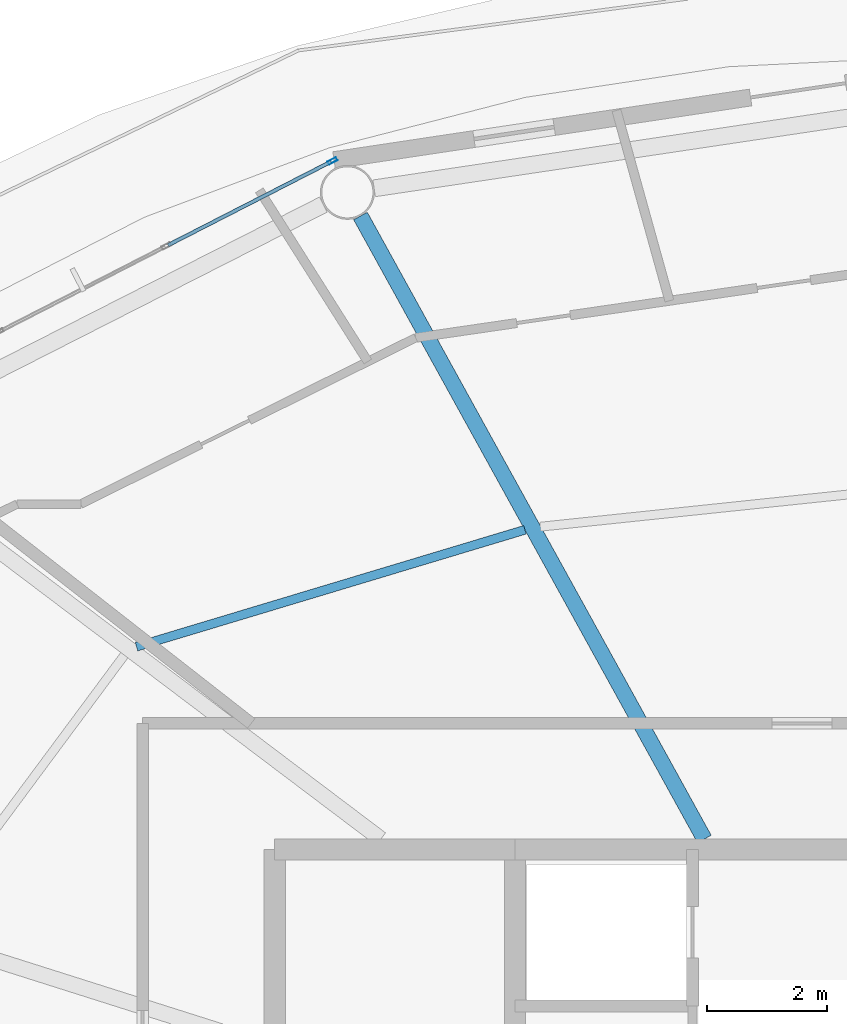
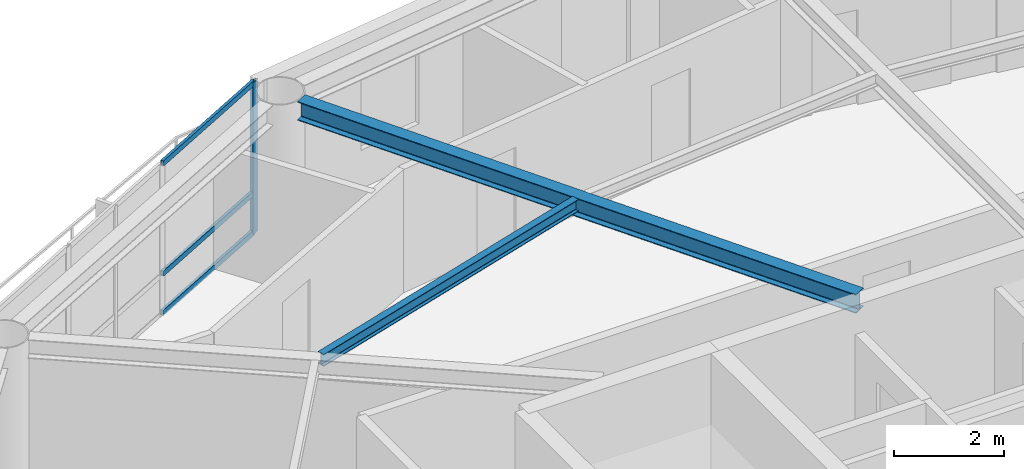
# One storey, part 9 of 22: 4 members, 2 beams, 1 element without a shape of its own.
"""IFC4 building model written with IfcOpenShell, lengths in metres."""

from ifc_helpers import new_model, si_unit, direction, frame, origin, origin_2d, place, context, subcontext, project, spatial, hollow_rectangle, i_section, extrude, material, layer, layer_set, material_profile, profile_set, type_object, element, aggregate, save


model = new_model("IFC4")

# Units and contexts
model_context = context("Model", 3, precision=1e-05, world=origin(), true_north=direction((0.0, 1.0)))
body_context = subcontext(model_context, "Body", "Model", "MODEL_VIEW")
ifc_project = project(units=[si_unit("LENGTHUNIT", "METRE"), si_unit("AREAUNIT", "SQUARE_METRE"), si_unit("VOLUMEUNIT", "CUBIC_METRE"), si_unit("PLANEANGLEUNIT", "RADIAN"), si_unit("MASSUNIT", "GRAM", prefix="KILO")], contexts=[model_context])

# Site, building, storey
site_placement = place(None, origin())
site = spatial("IfcSite", under=ifc_project, at=site_placement, CompositionType="ELEMENT")
building_placement = place(site_placement, origin())
building = spatial("IfcBuilding", under=site, at=building_placement, Name="Sarneth Arch Tower", CompositionType="ELEMENT")
storey_placement = place(building_placement, frame((0.0, 0.0, 305.39990234375)))
storey = spatial("IfcBuildingStorey", under=building, at=storey_placement, Name="L79", CompositionType="ELEMENT", Elevation=305.39990234375)

# Beams
ifc_material_1 = material(Name="Steel S355", Category="steel")
ifc_material_profile_1 = material_profile(ifc_material_1, i_section(OverallWidth=0.14794921875, OverallDepth=0.26611328125, WebThickness=0.007568359375, FlangeThickness=0.012939453125, FilletRadius=0.012939453125, at=origin_2d()), Name="W250x44.8")
ifc_profile_set_1 = profile_set([ifc_material_profile_1], Name="Steel S355")
beam_type_1 = type_object("IfcBeamType", Name="BM-JOIST-250", PredefinedType="JOIST", material=ifc_profile_set_1)
beam_1_placement = place(storey_placement, frame((41.163818359375, 54.122314453125, 3.237060546875), z_axis=(-0.95760703602, -0.288077705776, 0.0), x_axis=(0.288077705776, -0.95760703602, 0.0)))
element("IfcBeam", 1, at=beam_1_placement, inside=storey, type_object=beam_type_1, Name="L79 Secondary floor joist 06", PredefinedType="JOIST", context=body_context, shape_type="SweptSolid", body=[
    extrude(i_section(OverallWidth=0.14794921875, OverallDepth=0.26611328125, WebThickness=0.007568359375, FlangeThickness=0.012939453125, FilletRadius=0.012939453125, at=origin_2d()), origin(), (0.0, 0.0, 1.0), 6.7509765625),
])
ifc_material_2 = material(Name="Steel S355", Category="steel")
ifc_material_profile_2 = material_profile(ifc_material_2, i_section(OverallWidth=0.260009765625, OverallDepth=0.4150390625, WebThickness=0.010009765625, FlangeThickness=0.016845703125, FilletRadius=0.01611328125, at=origin_2d()), Name="W410x100")
ifc_profile_set_2 = profile_set([ifc_material_profile_2], Name="Steel S355")
beam_type_2 = type_object("IfcBeamType", Name="BM-RAD-410A", PredefinedType="BEAM", material=ifc_profile_set_2)
beam_2_placement = place(storey_placement, frame((44.150146484375, 48.97509765625, 3.16259765625), z_axis=(-0.483229367873, 0.875493790969, 0.0), x_axis=(-0.875493790969, -0.483229367873, 0.0)))
element("IfcBeam", 2, at=beam_2_placement, inside=storey, type_object=beam_type_2, Name="L79 Radial floor girder 06", PredefinedType="BEAM", context=body_context, shape_type="SweptSolid", body=[
    extrude(i_section(OverallWidth=0.260009765625, OverallDepth=0.4150390625, WebThickness=0.010009765625, FlangeThickness=0.016845703125, FilletRadius=0.01611328125, at=origin_2d()), origin(), (0.0, 0.0, 1.0), 11.843994140625),
])

# Curtain wall, members
ifc_material_3 = material(Name="Anodised aluminium Type AA25 and solar-control low-e laminated IGU", Category="aluminium")
ifc_layer = layer(ifc_material_3, 0.179931640625)
ifc_layer_set = layer_set([ifc_layer], Name="Anodised aluminium Type AA25 and solar-control low-e laminated IGU")
curtain_wall_type = type_object("IfcCurtainWallType", Name="CW-RES-HIGH", PredefinedType="NOTDEFINED", material=ifc_layer_set)
curtain_wall_placement = place(storey_placement, origin())
curtain_wall = element("IfcCurtainWall", 3, at=curtain_wall_placement, inside=storey, type_object=curtain_wall_type, Name="L79 Unitised curtain wall facet 06", PredefinedType="NOTDEFINED")
ifc_material_4 = material(Name="Anodised Aluminium 6063-T6", Category="aluminium")
ifc_material_profile_3 = material_profile(ifc_material_4, hollow_rectangle(XDim=0.06005859375, YDim=0.159912109375, WallThickness=0.00390625, at=origin_2d()), Name="AL-MULL-160x60x4")
ifc_profile_set_3 = profile_set([ifc_material_profile_3], Name="Anodised Aluminium 6063-T6")
member_type_1 = type_object("IfcMemberType", Name="CW-MULLION", PredefinedType="MULLION", material=ifc_profile_set_3)
member_1_placement = place(storey_placement, frame((37.960693359375, 60.2607421875, 0.0), z_axis=(0.0, 0.0, 1.0), x_axis=(0.455941901753, -0.890009540525, 0.0)))
member_1 = element("IfcMember", 4, at=member_1_placement, type_object=member_type_1, Name="CW-SYS-6 mullion 1", PredefinedType="MULLION", context=body_context, shape_type="SweptSolid", body=[
    extrude(hollow_rectangle(XDim=0.06005859375, YDim=0.159912109375, WallThickness=0.00390625, at=origin_2d()), origin(), (0.0, 0.0, 1.0), 3.3701171875),
])
ifc_material_5 = material(Name="Anodised Aluminium 6063-T6", Category="aluminium")
ifc_material_profile_4 = material_profile(ifc_material_5, hollow_rectangle(XDim=0.06005859375, YDim=0.1201171875, WallThickness=0.00390625, at=origin_2d()), Name="AL-TRAN-120x60x4")
ifc_profile_set_4 = profile_set([ifc_material_profile_4], Name="Anodised Aluminium 6063-T6")
member_type_2 = type_object("IfcMemberType", Name="CW-TRANSOM", PredefinedType="USERDEFINED", material=ifc_profile_set_4)
member_2_placement = place(storey_placement, frame((37.933837890625, 60.2470703125, 0.030029296875), z_axis=(-0.889973523166, -0.456012201662, 0.0), x_axis=(0.456012201662, -0.889973523166, 0.0)))
member_2 = element("IfcMember", 5, at=member_2_placement, type_object=member_type_2, Name="CW-SYS-6 transom 1.1", ObjectType="TRANSOM", PredefinedType="USERDEFINED", context=body_context, shape_type="SweptSolid", body=[
    extrude(hollow_rectangle(XDim=0.06005859375, YDim=0.1201171875, WallThickness=0.00390625, at=origin_2d()), origin(), (0.0, 0.0, 1.0), 3.044677734375),
])
member_3_placement = place(storey_placement, frame((37.933837890625, 60.2470703125, 0.900146484375), z_axis=(-0.889973523166, -0.456012201662, 0.0), x_axis=(0.456012201662, -0.889973523166, 0.0)))
member_3 = element("IfcMember", 6, at=member_3_placement, type_object=member_type_2, Name="CW-SYS-6 transom 1.2", ObjectType="TRANSOM", PredefinedType="USERDEFINED", context=body_context, shape_type="SweptSolid", body=[
    extrude(hollow_rectangle(XDim=0.06005859375, YDim=0.1201171875, WallThickness=0.00390625, at=origin_2d()), origin(), (0.0, 0.0, 1.0), 3.044677734375),
])
member_4_placement = place(storey_placement, frame((37.933837890625, 60.2470703125, 3.340087890625), z_axis=(-0.889973523166, -0.456012201662, 0.0), x_axis=(0.456012201662, -0.889973523166, 0.0)))
member_4 = element("IfcMember", 7, at=member_4_placement, type_object=member_type_2, Name="CW-SYS-6 transom 1.3", ObjectType="TRANSOM", PredefinedType="USERDEFINED", context=body_context, shape_type="SweptSolid", body=[
    extrude(hollow_rectangle(XDim=0.06005859375, YDim=0.1201171875, WallThickness=0.00390625, at=origin_2d()), origin(), (0.0, 0.0, 1.0), 3.044677734375),
])
aggregate(curtain_wall, [member_1, member_2, member_3, member_4])

save(model, "model.ifc")
